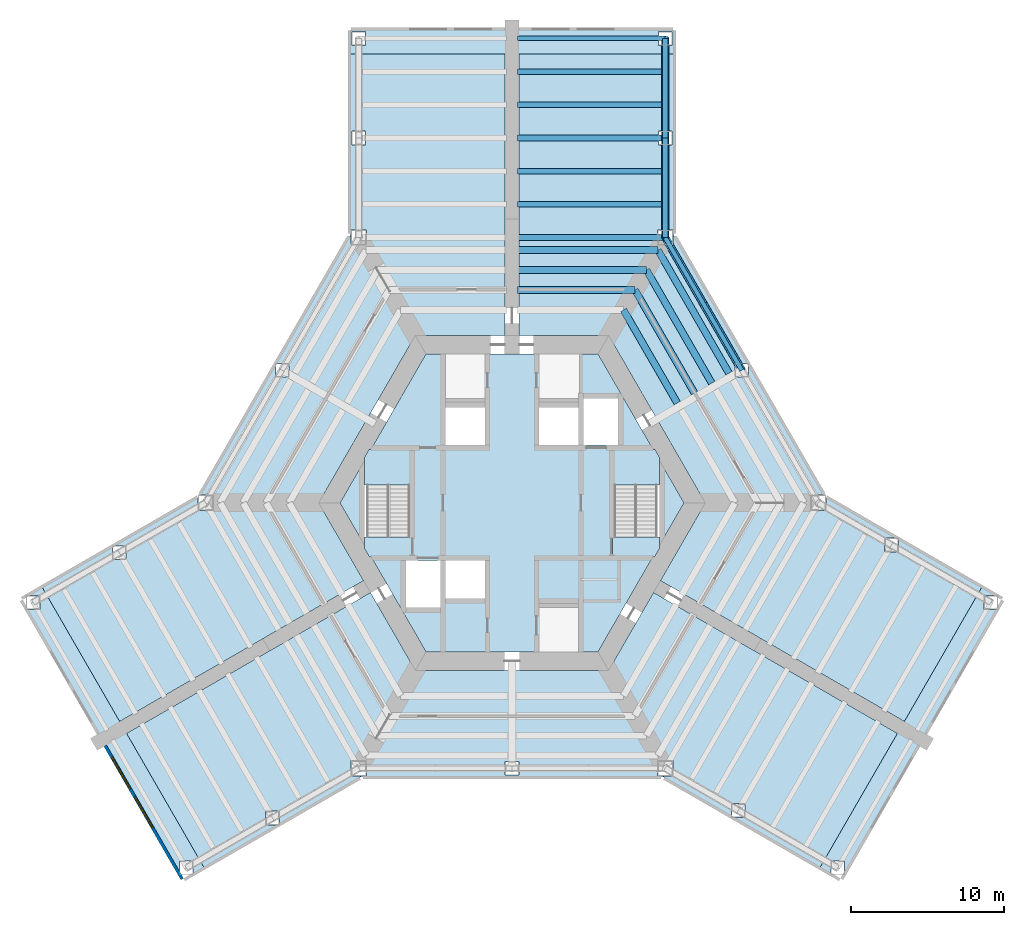
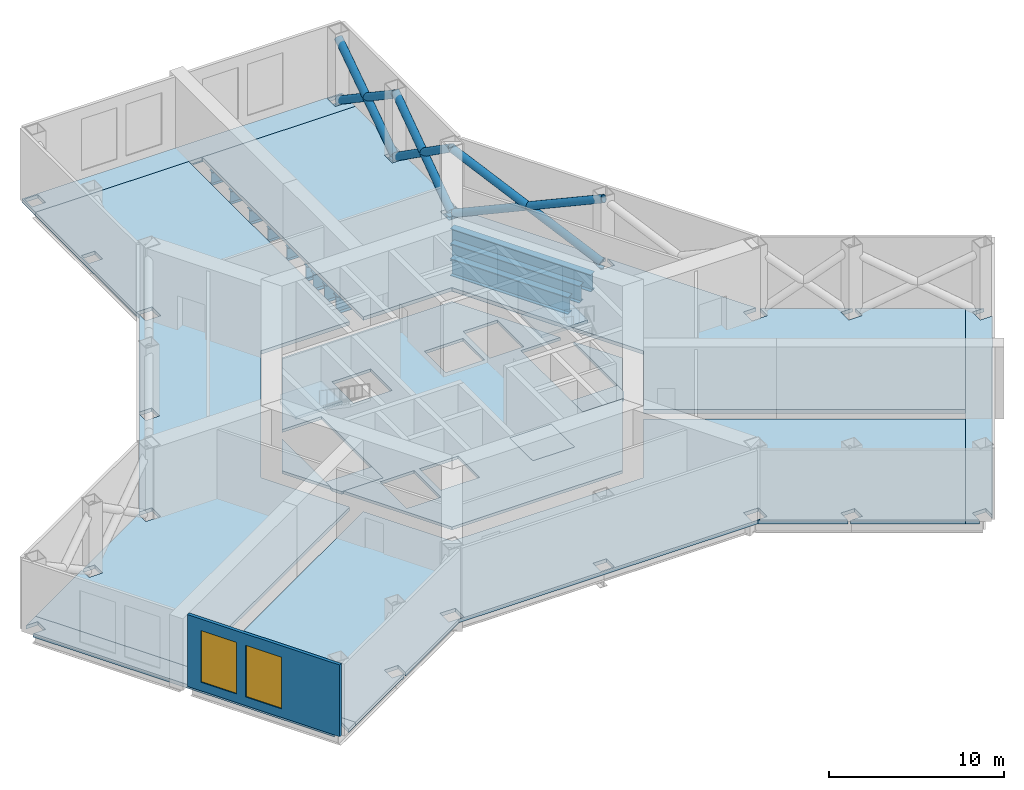
# One storey, part 3 of 8: 17 beams, 14 slabs, 6 members, 2 windows, 1 wall, 2 openings, 2 elements without a shape of their own.
"""IFC4 building model written with IfcOpenShell, lengths in metres."""

from ifc_helpers import new_model, si_unit, direction, frame, frame_2d, origin, origin_2d, place, context, subcontext, project, spatial, polyline, rectangle, hollow_circle, i_section, outline, extrude, material, layer, layer_set, material_profile, profile_set, type_object, element, fill, aggregate, save


model = new_model("IFC4")

# Units and contexts
model_context = context("Model", 3, precision=1e-05, world=origin(), true_north=direction((0.0, 1.0)))
body_context = subcontext(model_context, "Body", "Model", "MODEL_VIEW")
ifc_project = project(units=[si_unit("LENGTHUNIT", "METRE"), si_unit("AREAUNIT", "SQUARE_METRE"), si_unit("VOLUMEUNIT", "CUBIC_METRE"), si_unit("PLANEANGLEUNIT", "RADIAN"), si_unit("MASSUNIT", "GRAM", prefix="KILO")], contexts=[model_context])

# Site, building, storey
site_placement = place(None, origin())
site = spatial("IfcSite", under=ifc_project, at=site_placement, CompositionType="ELEMENT")
building_placement = place(site_placement, origin())
building = spatial("IfcBuilding", under=site, at=building_placement, Name="Kasaneha Research Tower", CompositionType="ELEMENT")
storey_placement = place(building_placement, frame((0.0, 0.0, 52.0)))
storey = spatial("IfcBuildingStorey", under=building, at=storey_placement, Name="L13", CompositionType="ELEMENT", Elevation=52.0)

# Beams
ifc_material_1 = material(Name="Steel SN490B", Category="steel")
ifc_material_profile_1 = material_profile(ifc_material_1, i_section(OverallWidth=0.449951171875, OverallDepth=1.199951171875, WebThickness=0.02197265625, FlangeThickness=0.0400390625, at=origin_2d()), Name="BH-1200x450x22x40")
ifc_profile_set_1 = profile_set([ifc_material_profile_1], Name="Steel SN490B")
beam_type_1 = type_object("IfcBeamType", Name="B1-5 secondary beam BH-1200x450x22x40", PredefinedType="JOIST", material=ifc_profile_set_1)
beam_1_placement = place(storey_placement, frame((7.274658203125, 12.60009765625, -0.85009765625), z_axis=(0.499989208252, -0.866031634313, 0.0), x_axis=(0.866031634313, 0.499989208252, 0.0)))
element("IfcBeam", 1, at=beam_1_placement, inside=storey, type_object=beam_type_1, Name="Secondary beam RS030R1 L13", PredefinedType="JOIST", context=body_context, shape_type="SweptSolid", body=[
    extrude(i_section(OverallWidth=0.449951171875, OverallDepth=1.199951171875, WebThickness=0.02197265625, FlangeThickness=0.0400390625, at=origin_2d()), origin(), (0.0, 0.0, 1.0), 7.024658203125),
])
beam_2_placement = place(storey_placement, frame((8.025146484375, 13.89990234375, -0.85009765625), z_axis=(0.500016004, -0.866016163673, 0.0), x_axis=(0.866016163673, 0.500016004, 0.0)))
element("IfcBeam", 2, at=beam_2_placement, inside=storey, type_object=beam_type_1, Name="Secondary beam RS030R2 L13", PredefinedType="JOIST", context=body_context, shape_type="SweptSolid", body=[
    extrude(i_section(OverallWidth=0.449951171875, OverallDepth=1.199951171875, WebThickness=0.02197265625, FlangeThickness=0.0400390625, at=origin_2d()), origin(), (0.0, 0.0, 1.0), 7.775146484375),
])
beam_3_placement = place(storey_placement, frame((8.775634765625, 15.199951171875, -0.85009765625), z_axis=(0.500004205306, -0.866022975836, 0.0), x_axis=(0.866022975836, 0.500004205306, 0.0)))
element("IfcBeam", 3, at=beam_3_placement, inside=storey, type_object=beam_type_1, Name="Secondary beam RS030R3 L13", PredefinedType="JOIST", context=body_context, shape_type="SweptSolid", body=[
    extrude(i_section(OverallWidth=0.449951171875, OverallDepth=1.199951171875, WebThickness=0.02197265625, FlangeThickness=0.0400390625, at=origin_2d()), origin(), (0.0, 0.0, 1.0), 8.52587890625),
])
beam_4_placement = place(storey_placement, frame((9.5263671875, 16.5, -0.85009765625), z_axis=(0.499985972961, -0.866033502147, 0.0), x_axis=(0.866033502147, 0.499985972961, 0.0)))
element("IfcBeam", 4, at=beam_4_placement, inside=storey, type_object=beam_type_1, Name="Secondary beam RS030R4 L13", PredefinedType="JOIST", context=body_context, shape_type="SweptSolid", body=[
    extrude(i_section(OverallWidth=0.449951171875, OverallDepth=1.199951171875, WebThickness=0.02197265625, FlangeThickness=0.0400390625, at=origin_2d()), origin(), (0.0, 0.0, 1.0), 9.276123046875),
])
beam_5_placement = place(storey_placement, frame((8.025146484375, 13.89990234375, -0.85009765625), z_axis=(-1.0, 0.0, 0.0), x_axis=(0.0, -1.0, 0.0)))
element("IfcBeam", 5, at=beam_5_placement, inside=storey, type_object=beam_type_1, Name="Secondary beam RS090L2 L13", PredefinedType="JOIST", context=body_context, shape_type="SweptSolid", body=[
    extrude(i_section(OverallWidth=0.449951171875, OverallDepth=1.199951171875, WebThickness=0.02197265625, FlangeThickness=0.0400390625, at=origin_2d()), origin(), (0.0, 0.0, 1.0), 7.675048828125),
])
beam_6_placement = place(storey_placement, frame((8.775634765625, 15.199951171875, -0.85009765625), z_axis=(-1.0, 0.0, 0.0), x_axis=(0.0, -1.0, 0.0)))
element("IfcBeam", 6, at=beam_6_placement, inside=storey, type_object=beam_type_1, Name="Secondary beam RS090L3 L13", PredefinedType="JOIST", context=body_context, shape_type="SweptSolid", body=[
    extrude(i_section(OverallWidth=0.449951171875, OverallDepth=1.199951171875, WebThickness=0.02197265625, FlangeThickness=0.0400390625, at=origin_2d()), origin(), (0.0, 0.0, 1.0), 8.425537109375),
])
beam_7_placement = place(storey_placement, frame((9.5263671875, 16.5, -0.85009765625), z_axis=(-1.0, 0.0, 0.0), x_axis=(0.0, -1.0, 0.0)))
element("IfcBeam", 7, at=beam_7_placement, inside=storey, type_object=beam_type_1, Name="Secondary beam RS090L4 L13", PredefinedType="JOIST", context=body_context, shape_type="SweptSolid", body=[
    extrude(i_section(OverallWidth=0.449951171875, OverallDepth=1.199951171875, WebThickness=0.02197265625, FlangeThickness=0.0400390625, at=origin_2d()), origin(), (0.0, 0.0, 1.0), 9.17626953125),
])
ifc_material_2 = material(Name="Steel SN490B", Category="steel")
ifc_material_profile_2 = material_profile(ifc_material_2, i_section(OverallWidth=0.35009765625, OverallDepth=0.89990234375, WebThickness=0.01611328125, FlangeThickness=0.031982421875, at=origin_2d()), Name="BH-900x350x16x32")
ifc_profile_set_2 = profile_set([ifc_material_profile_2], Name="Steel SN490B")
beam_type_2 = type_object("IfcBeamType", Name="B2-5 secondary beam BH-900x350x16x32", PredefinedType="JOIST", material=ifc_profile_set_2)
for number, where, z_axis, x_axis, name in (
    (8, (10.0, 19.487060546875, -0.699951171875), (-1.0, 0.0, 0.0), (0.0, -1.0, 0.0), "Secondary beam WBAP1 L13"),
    (9, (10.0, 21.65380859375, -0.699951171875), (-1.0, 0.0, 0.0), (0.0, -1.0, 0.0), "Secondary beam WBAP2 L13"),
    (10, (10.0, 25.987060546875, -0.699951171875), (-1.0, 0.0, 0.0), (0.0, -1.0, 0.0), "Secondary beam WBAP3 L13"),
    (11, (10.0, 28.15380859375, -0.699951171875), (-1.0, 0.0, 0.0), (0.0, -1.0, 0.0), "Secondary beam WBAP4 L13"),
):
    element("IfcBeam", number, at=place(storey_placement, frame(where, z_axis=z_axis, x_axis=x_axis)), inside=storey, type_object=beam_type_2, Name=name, PredefinedType="JOIST", context=body_context, shape_type="SweptSolid", body=[
        extrude(i_section(OverallWidth=0.35009765625, OverallDepth=0.89990234375, WebThickness=0.01611328125, FlangeThickness=0.031982421875, at=origin_2d()), origin(), (0.0, 0.0, 1.0), 9.64990234375),
    ])
ifc_material_3 = material(Name="Steel SN490B", Category="steel")
ifc_material_profile_3 = material_profile(ifc_material_3, i_section(OverallWidth=0.35009765625, OverallDepth=0.89990234375, WebThickness=0.01611328125, FlangeThickness=0.031982421875, at=origin_2d()), Name="BH-900x350x16x32")
ifc_profile_set_3 = profile_set([ifc_material_profile_3], Name="Steel SN490B")
beam_type_3 = type_object("IfcBeamType", Name="BC1-5 belt chord BH-900x350x16x32", PredefinedType="BEAM", material=ifc_profile_set_3)
beam_8_placement = place(storey_placement, frame((10.0, 17.320556640625, -0.699951171875), z_axis=(0.0, 1.0, 0.0), x_axis=(-1.0, 0.0, 0.0)))
element("IfcBeam", 12, at=beam_8_placement, inside=storey, type_object=beam_type_3, Name="Belt chord WSAP1 L13", PredefinedType="BEAM", context=body_context, shape_type="SweptSolid", body=[
    extrude(i_section(OverallWidth=0.35009765625, OverallDepth=0.89990234375, WebThickness=0.01611328125, FlangeThickness=0.031982421875, at=origin_2d()), origin(), (0.0, 0.0, 1.0), 6.5),
])

# Members
ifc_material_4 = material(Name="Steel STKN490B", Category="steel")
ifc_material_profile_4 = material_profile(ifc_material_4, hollow_circle(Radius=0.25390625, WallThickness=0.02197265625, at=origin_2d()), Name="CHS-508.0x22.0")
ifc_profile_set_4 = profile_set([ifc_material_profile_4], Name="Steel STKN490B")
member_type = type_object("IfcMemberType", Name="BT1 belt truss diagonal CHS-508.0x22.0", PredefinedType="BRACE", material=ifc_profile_set_4)
for number, where, z_axis, x_axis, name in (
    (13, (10.0, 30.20166015625, 0.091552734375), (0.0, -0.829987809432, 0.557781530883), (1.0, 0.0, 0.0), "Belt truss diagonal 7a L13"),
    (14, (10.0, 23.939453125, 0.091552734375), (0.0, 0.829987809432, 0.557781530883), (-1.0, 0.0, 0.0), "Belt truss diagonal 7b L13"),
):
    element("IfcMember", number, at=place(storey_placement, frame(where, z_axis=z_axis, x_axis=x_axis)), inside=storey, type_object=member_type, Name=name, PredefinedType="BRACE", context=body_context, shape_type="SweptSolid", body=[
        extrude(hollow_circle(Radius=0.25390625, WallThickness=0.02197265625, at=origin_2d()), origin(), (0.0, 0.0, 1.0), 7.688232421875),
    ])
for number, where, z_axis, x_axis, name in (
    (15, (10.0, 23.70166015625, 0.091552734375), (0.0, -0.817919864106, 0.575332161365), (1.0, 0.0, 0.0), "Belt truss diagonal 8a L13"),
    (16, (10.0, 17.439453125, 0.091552734375), (0.0, 0.817919864106, 0.575332161365), (-1.0, 0.0, 0.0), "Belt truss diagonal 8b L13"),
):
    element("IfcMember", number, at=place(storey_placement, frame(where, z_axis=z_axis, x_axis=x_axis)), inside=storey, type_object=member_type, Name=name, PredefinedType="BRACE", context=body_context, shape_type="SweptSolid", body=[
        extrude(hollow_circle(Radius=0.25390625, WallThickness=0.02197265625, at=origin_2d()), origin(), (0.0, 0.0, 1.0), 7.801513671875),
    ])
for number, where, z_axis, x_axis, name in (
    (17, (10.067138671875, 17.204345703125, 0.067138671875), (0.455515713418, -0.788996952362, 0.412297518781), (0.866031054652, 0.499990212282, 0.0), "Belt truss diagonal 9a L13"),
    (18, (14.932861328125, 8.7763671875, 0.067138671875), (-0.455515713418, 0.788996952362, 0.412297518781), (-0.866031054652, -0.499990212282, 0.0), "Belt truss diagonal 9b L13"),
):
    element("IfcMember", number, at=place(storey_placement, frame(where, z_axis=z_axis, x_axis=x_axis)), inside=storey, type_object=member_type, Name=name, PredefinedType="BRACE", context=body_context, shape_type="SweptSolid", body=[
        extrude(hollow_circle(Radius=0.25390625, WallThickness=0.02197265625, at=origin_2d()), origin(), (0.0, 0.0, 1.0), 10.8291015625),
    ])

# Beams
ifc_material_5 = material(Name="Steel SN490B", Category="steel")
ifc_material_profile_5 = material_profile(ifc_material_5, i_section(OverallWidth=0.39990234375, OverallDepth=1.0, WebThickness=0.01904296875, FlangeThickness=0.035888671875, at=origin_2d()), Name="BH-1000x400x19x36")
ifc_profile_set_5 = profile_set([ifc_material_profile_5], Name="Steel SN490B")
beam_type_4 = type_object("IfcBeamType", Name="G3-5 plate edge girder BH-1000x400x19x36", PredefinedType="BEAM", material=ifc_profile_set_5)
beam_9_placement = place(storey_placement, frame((10.0, 17.320556640625, -0.75), z_axis=(-1.0, 0.0, 0.0), x_axis=(0.0, -1.0, 0.0)))
element("IfcBeam", 19, at=beam_9_placement, inside=storey, type_object=beam_type_4, Name="Plate edge girder PEAP L13", PredefinedType="BEAM", context=body_context, shape_type="SweptSolid", body=[
    extrude(i_section(OverallWidth=0.39990234375, OverallDepth=1.0, WebThickness=0.01904296875, FlangeThickness=0.035888671875, at=origin_2d()), origin(), (0.0, 0.0, 1.0), 9.64990234375),
])
ifc_material_6 = material(Name="Steel SN490B", Category="steel")
ifc_material_profile_6 = material_profile(ifc_material_6, i_section(OverallWidth=0.39990234375, OverallDepth=1.0, WebThickness=0.01904296875, FlangeThickness=0.035888671875, at=origin_2d()), Name="BH-1000x400x19x36")
ifc_profile_set_6 = profile_set([ifc_material_profile_6], Name="Steel SN490B")
beam_type_5 = type_object("IfcBeamType", Name="G4-5 wing girder BH-1000x400x19x36", PredefinedType="BEAM", material=ifc_profile_set_6)
beam_10_placement = place(storey_placement, frame((10.0, 23.820556640625, -0.75), z_axis=(-1.0, 0.0, 0.0), x_axis=(0.0, -1.0, 0.0)))
element("IfcBeam", 20, at=beam_10_placement, inside=storey, type_object=beam_type_5, Name="Wing girder WGAP L13", PredefinedType="BEAM", context=body_context, shape_type="SweptSolid", body=[
    extrude(i_section(OverallWidth=0.39990234375, OverallDepth=1.0, WebThickness=0.01904296875, FlangeThickness=0.035888671875, at=origin_2d()), origin(), (0.0, 0.0, 1.0), 9.64990234375),
])
ifc_material_7 = material(Name="Steel SN490B", Category="steel")
ifc_material_profile_7 = material_profile(ifc_material_7, i_section(OverallWidth=0.300048828125, OverallDepth=0.800048828125, WebThickness=0.013916015625, FlangeThickness=0.02587890625, FilletRadius=0.01806640625, at=origin_2d()), Name="H-800x300x14x26")
ifc_profile_set_7 = profile_set([ifc_material_profile_7], Name="Steel SN490B")
beam_type_6 = type_object("IfcBeamType", Name="SB1-5 spandrel beam H-800x300x14x26", PredefinedType="SPANDREL", material=ifc_profile_set_7)
beam_11_placement = place(storey_placement, frame((10.0, 17.320556640625, -0.64990234375), z_axis=(0.499993662806, -0.866029062534, 0.0), x_axis=(0.866029062534, 0.499993662806, 0.0)))
element("IfcBeam", 21, at=beam_11_placement, inside=storey, type_object=beam_type_6, Name="Spandrel beam SR030R L13", PredefinedType="SPANDREL", context=body_context, shape_type="SweptSolid", body=[
    extrude(i_section(OverallWidth=0.300048828125, OverallDepth=0.800048828125, WebThickness=0.013916015625, FlangeThickness=0.02587890625, FilletRadius=0.01806640625, at=origin_2d()), origin(), (0.0, 0.0, 1.0), 10.000244140625),
])
ifc_material_8 = material(Name="Steel SN490B", Category="steel")
ifc_material_profile_8 = material_profile(ifc_material_8, i_section(OverallWidth=0.35009765625, OverallDepth=0.89990234375, WebThickness=0.01611328125, FlangeThickness=0.031982421875, at=origin_2d()), Name="BH-900x350x16x32")
ifc_profile_set_8 = profile_set([ifc_material_profile_8], Name="Steel SN490B")
beam_type_7 = type_object("IfcBeamType", Name="SB2-5 spandrel beam BH-900x350x16x32", PredefinedType="SPANDREL", material=ifc_profile_set_8)
beam_12_placement = place(storey_placement, frame((10.0, 23.820556640625, -0.699951171875), z_axis=(0.0, 1.0, 0.0), x_axis=(-1.0, 0.0, 0.0)))
element("IfcBeam", 22, at=beam_12_placement, inside=storey, type_object=beam_type_7, Name="Spandrel beam WSAP2 L13", PredefinedType="SPANDREL", context=body_context, shape_type="SweptSolid", body=[
    extrude(i_section(OverallWidth=0.35009765625, OverallDepth=0.89990234375, WebThickness=0.01611328125, FlangeThickness=0.031982421875, at=origin_2d()), origin(), (0.0, 0.0, 1.0), 6.5),
])
ifc_material_9 = material(Name="Steel SN490B", Category="steel")
ifc_material_profile_9 = material_profile(ifc_material_9, i_section(OverallWidth=0.300048828125, OverallDepth=0.7919921875, WebThickness=0.013916015625, FlangeThickness=0.02197265625, FilletRadius=0.01806640625, at=origin_2d()), Name="H-792x300x14x22")
ifc_profile_set_9 = profile_set([ifc_material_profile_9], Name="Steel SN490B")
beam_type_8 = type_object("IfcBeamType", Name="SB3-5 spandrel beam H-792x300x14x22", PredefinedType="SPANDREL", material=ifc_profile_set_9)
beam_13_placement = place(storey_placement, frame((10.0, 30.320556640625, -0.64599609375), z_axis=(-1.0, 0.0, 0.0), x_axis=(0.0, -1.0, 0.0)))
element("IfcBeam", 23, at=beam_13_placement, inside=storey, type_object=beam_type_8, Name="Spandrel beam WTAP L13", PredefinedType="SPANDREL", context=body_context, shape_type="SweptSolid", body=[
    extrude(i_section(OverallWidth=0.300048828125, OverallDepth=0.7919921875, WebThickness=0.013916015625, FlangeThickness=0.02197265625, FilletRadius=0.01806640625, at=origin_2d()), origin(), (0.0, 0.0, 1.0), 9.64990234375),
])

# Slabs
ifc_material_10 = material(Name="Concrete Fc24", Category="concrete")
ifc_layer_1 = layer(ifc_material_10, 0.199951171875)
ifc_layer_set_1 = layer_set([ifc_layer_1], Name="Core floor slab 200")
slab_type_1 = type_object("IfcSlabType", Name="Core floor slab 200", PredefinedType="FLOOR", material=ifc_layer_set_1)
slab_1_placement = place(storey_placement, frame((0.0, 0.0, -0.199951171875)))
element("IfcSlab", 24, at=slab_1_placement, inside=storey, type_object=slab_type_1, Name="Core slab L13", PredefinedType="FLOOR", context=body_context, shape_type="SweptSolid", body=[
    extrude(outline(polyline([(-11.2294921875, 0.0), (-9.625, 2.779052734375), (-9.625, -2.779052734375), (-11.2294921875, 0.0)])), origin(), (0.0, 0.0, 1.0), 0.199951171875),
])
slab_2_placement = place(storey_placement, frame((0.0, 0.0, -0.199951171875)))
element("IfcSlab", 25, at=slab_2_placement, inside=storey, type_object=slab_type_1, Name="Core slab L13", PredefinedType="FLOOR", context=body_context, shape_type="SweptSolid", body=[
    extrude(outline(polyline([(-5.61474609375, 9.72509765625), (5.61474609375, 9.72509765625), (9.1943359375, 3.52490234375), (6.574951171875, 3.52490234375), (6.574951171875, -3.52490234375), (9.1943359375, -3.52490234375), (5.61474609375, -9.72509765625), (-5.61474609375, -9.72509765625), (-9.1943359375, -3.52490234375), (-6.574951171875, -3.52490234375), (-6.574951171875, 3.52490234375), (-9.1943359375, 3.52490234375), (-5.61474609375, 9.72509765625)]), holes=[polyline([(-6.925048828125, -3.77490234375), (-6.925048828125, -6.824951171875), (-4.675048828125, -6.824951171875), (-4.675048828125, -3.77490234375), (-6.925048828125, -3.77490234375)]), polyline([(-4.324951171875, -3.77490234375), (-4.324951171875, -6.22509765625), (-1.77490234375, -6.22509765625), (-1.77490234375, -3.77490234375), (-4.324951171875, -3.77490234375)]), polyline([(1.675048828125, -3.675048828125), (1.675048828125, -6.324951171875), (4.425048828125, -6.324951171875), (4.425048828125, -3.675048828125), (1.675048828125, -3.675048828125)]), polyline([(-4.324951171875, 6.22509765625), (-4.324951171875, 3.77490234375), (-1.77490234375, 3.77490234375), (-1.77490234375, 6.22509765625), (-4.324951171875, 6.22509765625)]), polyline([(1.77490234375, 6.22509765625), (1.77490234375, 3.77490234375), (4.324951171875, 3.77490234375), (4.324951171875, 6.22509765625), (1.77490234375, 6.22509765625)]), polyline([(4.675048828125, 6.824951171875), (4.675048828125, 3.77490234375), (6.925048828125, 3.77490234375), (6.925048828125, 6.824951171875), (4.675048828125, 6.824951171875)])]), origin(), (0.0, 0.0, 1.0), 0.199951171875),
])
slab_3_placement = place(storey_placement, frame((0.0, 0.0, -0.199951171875)))
element("IfcSlab", 26, at=slab_3_placement, inside=storey, type_object=slab_type_1, Name="Core slab L13", PredefinedType="FLOOR", context=body_context, shape_type="SweptSolid", body=[
    extrude(outline(polyline([(11.2294921875, 0.0), (9.625, -2.779052734375), (9.625, 2.779052734375), (11.2294921875, 0.0)])), origin(), (0.0, 0.0, 1.0), 0.199951171875),
])
ifc_material_11 = material(Name="Concrete Fc24", Category="concrete")
ifc_layer_2 = layer(ifc_material_11, 0.25)
ifc_layer_set_2 = layer_set([ifc_layer_2], Name="Floor slab 250")
slab_type_2 = type_object("IfcSlabType", Name="Floor slab 250", PredefinedType="FLOOR", material=ifc_layer_set_2)
slab_4_placement = place(storey_placement, frame((0.0, 0.0, -0.25)))
element("IfcSlab", 27, at=slab_4_placement, inside=storey, type_object=slab_type_2, Name="Floor slab L13 1", PredefinedType="FLOOR", context=body_context, shape_type="SweptSolid", body=[
    extrude(outline(polyline([(-25.167236328125, -15.050048828125), (-25.15869140625, -15.044921875), (-20.108642578125, -23.791748046875), (-20.808349609375, -24.19580078125), (-20.808349609375, -23.37060546875), (-21.708251953125, -23.37060546875), (-21.708251953125, -24.14111328125), (-31.633544921875, -6.949951171875), (-30.808349609375, -6.949951171875), (-30.808349609375, -6.050048828125), (-31.578857421875, -6.050048828125), (-30.65869140625, -5.518798828125), (-25.608642578125, -14.265625), (-25.6171875, -14.2705078125), (-25.167236328125, -15.050048828125)])), origin(), (0.0, 0.0, 1.0), 0.25),
])
slab_5_placement = place(storey_placement, frame((0.0, 0.0, -0.25)))
element("IfcSlab", 28, at=slab_5_placement, inside=storey, type_object=slab_type_2, Name="Floor slab L13 2", PredefinedType="FLOOR", context=body_context, shape_type="SweptSolid", body=[
    extrude(outline(polyline([(-25.17919921875, -2.800048828125), (-25.94970703125, -2.800048828125), (-20.5, 0.346435546875), (-20.5, -0.5), (-19.5, -0.5), (-19.5, 0.5), (-20.346435546875, 0.5), (-15.449951171875, 8.980712890625), (-15.449951171875, 8.210205078125), (-14.550048828125, 8.210205078125), (-14.550048828125, 9.1103515625), (-15.375244140625, 9.1103515625), (-10.550048828125, 17.4677734375), (-10.550048828125, 29.310546875), (-0.449951171875, 29.310546875), (-0.449951171875, 10.925048828125), (-6.3076171875, 10.925048828125), (-12.614990234375, 0.0), (-9.686279296875, -5.07275390625), (-25.608642578125, -14.265625), (-30.65869140625, -5.518798828125), (-26.0791015625, -2.874755859375), (-26.0791015625, -3.699951171875), (-25.17919921875, -3.699951171875), (-25.17919921875, -2.800048828125)]), holes=[polyline([(-9.5, 16.820556640625), (-9.5, 17.820556640625), (-10.5, 17.820556640625), (-10.5, 16.820556640625), (-9.5, 16.820556640625)]), polyline([(-10.449951171875, 23.37060546875), (-9.550048828125, 23.37060546875), (-9.550048828125, 24.2705078125), (-10.449951171875, 24.2705078125), (-10.449951171875, 23.37060546875)])]), origin(), (0.0, 0.0, 1.0), 0.25),
])
slab_6_placement = place(storey_placement, frame((0.0, 0.0, -0.25)))
element("IfcSlab", 29, at=slab_6_placement, inside=storey, type_object=slab_type_2, Name="Floor slab L13 3", PredefinedType="FLOOR", context=body_context, shape_type="SweptSolid", body=[
    extrude(outline(polyline([(10.550048828125, 29.310546875), (0.449951171875, 29.310546875), (0.449951171875, 29.320556640625), (-0.449951171875, 29.320556640625), (-0.449951171875, 29.310546875), (-10.550048828125, 29.310546875), (-10.550048828125, 30.87060546875), (10.550048828125, 30.87060546875), (10.550048828125, 29.310546875)]), holes=[polyline([(-9.550048828125, 29.87060546875), (-9.550048828125, 30.7705078125), (-10.449951171875, 30.7705078125), (-10.449951171875, 29.87060546875), (-9.550048828125, 29.87060546875)]), polyline([(9.550048828125, 29.87060546875), (10.449951171875, 29.87060546875), (10.449951171875, 30.7705078125), (9.550048828125, 30.7705078125), (9.550048828125, 29.87060546875)])]), origin(), (0.0, 0.0, 1.0), 0.25),
])
slab_7_placement = place(storey_placement, frame((0.0, 0.0, -0.25)))
element("IfcSlab", 30, at=slab_7_placement, inside=storey, type_object=slab_type_2, Name="Floor slab L13 4", PredefinedType="FLOOR", context=body_context, shape_type="SweptSolid", body=[
    extrude(outline(polyline([(-6.3076171875, -10.925048828125), (6.3076171875, -10.925048828125), (9.236328125, -5.852294921875), (25.15869140625, -15.044921875), (20.108642578125, -23.791748046875), (14.442626953125, -20.5205078125), (15.213134765625, -20.5205078125), (15.213134765625, -19.62060546875), (14.313232421875, -19.62060546875), (14.313232421875, -20.44580078125), (9.8525390625, -17.87060546875), (-9.8525390625, -17.87060546875), (-15.17919921875, -20.94580078125), (-15.17919921875, -20.12060546875), (-16.0791015625, -20.12060546875), (-16.0791015625, -21.0205078125), (-15.30859375, -21.0205078125), (-20.108642578125, -23.791748046875), (-25.15869140625, -15.044921875), (-9.236328125, -5.852294921875), (-6.3076171875, -10.925048828125)]), holes=[polyline([(-0.449951171875, -17.7705078125), (0.449951171875, -17.7705078125), (0.449951171875, -16.87060546875), (-0.449951171875, -16.87060546875), (-0.449951171875, -17.7705078125)]), polyline([(-9.5, -17.820556640625), (-9.5, -16.820556640625), (-10.5, -16.820556640625), (-10.5, -17.820556640625), (-9.5, -17.820556640625)]), polyline([(10.5, -17.820556640625), (10.5, -16.820556640625), (9.5, -16.820556640625), (9.5, -17.820556640625), (10.5, -17.820556640625)])]), origin(), (0.0, 0.0, 1.0), 0.25),
])
slab_8_placement = place(storey_placement, frame((0.0, 0.0, -0.25)))
element("IfcSlab", 31, at=slab_8_placement, inside=storey, type_object=slab_type_2, Name="Floor slab L13 5", PredefinedType="FLOOR", context=body_context, shape_type="SweptSolid", body=[
    extrude(outline(polyline([(9.686279296875, -5.07275390625), (12.614990234375, 0.0), (6.3076171875, 10.925048828125), (0.449951171875, 10.925048828125), (0.449951171875, 29.310546875), (10.550048828125, 29.310546875), (10.550048828125, 17.4677734375), (15.375244140625, 9.1103515625), (14.550048828125, 9.1103515625), (14.550048828125, 8.210205078125), (15.449951171875, 8.210205078125), (15.449951171875, 8.980712890625), (20.346435546875, 0.5), (19.5, 0.5), (19.5, -0.5), (20.5, -0.5), (20.5, 0.346435546875), (25.083740234375, -2.300048828125), (24.313232421875, -2.300048828125), (24.313232421875, -3.199951171875), (25.213134765625, -3.199951171875), (25.213134765625, -2.374755859375), (30.65869140625, -5.518798828125), (25.608642578125, -14.265625), (9.686279296875, -5.07275390625)]), holes=[polyline([(9.5, 16.820556640625), (10.5, 16.820556640625), (10.5, 17.820556640625), (9.5, 17.820556640625), (9.5, 16.820556640625)]), polyline([(9.550048828125, 23.37060546875), (10.449951171875, 23.37060546875), (10.449951171875, 24.2705078125), (9.550048828125, 24.2705078125), (9.550048828125, 23.37060546875)])]), origin(), (0.0, 0.0, 1.0), 0.25),
])
slab_9_placement = place(storey_placement, frame((0.0, 0.0, -0.25)))
element("IfcSlab", 32, at=slab_9_placement, inside=storey, type_object=slab_type_2, Name="Floor slab L13 6", PredefinedType="FLOOR", context=body_context, shape_type="SweptSolid", body=[
    extrude(outline(polyline([(25.167236328125, -15.050048828125), (25.6171875, -14.2705078125), (25.608642578125, -14.265625), (30.65869140625, -5.518798828125), (31.578857421875, -6.050048828125), (30.808349609375, -6.050048828125), (30.808349609375, -6.949951171875), (31.633544921875, -6.949951171875), (21.708251953125, -24.14111328125), (21.708251953125, -23.37060546875), (20.808349609375, -23.37060546875), (20.808349609375, -24.19580078125), (20.108642578125, -23.791748046875), (25.15869140625, -15.044921875), (25.167236328125, -15.050048828125)])), origin(), (0.0, 0.0, 1.0), 0.25),
])
ifc_material_12 = material(Name="Concrete Fc24", Category="concrete")
ifc_layer_3 = layer(ifc_material_12, 0.300048828125)
ifc_layer_set_3 = layer_set([ifc_layer_3], Name="Lift pit slab 300")
slab_type_3 = type_object("IfcSlabType", Name="Lift pit slab 300", PredefinedType="USERDEFINED", material=ifc_layer_set_3)
slab_10_placement = place(storey_placement, frame((0.0, 0.0, -0.300048828125)))
element("IfcSlab", 33, at=slab_10_placement, inside=storey, type_object=slab_type_3, Name="Lift pit slab LO3", ObjectType="LIFT PIT SLAB", PredefinedType="USERDEFINED", context=body_context, shape_type="SweptSolid", body=[
    extrude(outline(polyline([(4.425048828125, -6.324951171875), (1.675048828125, -6.324951171875), (1.675048828125, -3.675048828125), (4.425048828125, -3.675048828125), (4.425048828125, -6.324951171875)])), origin(), (0.0, 0.0, 1.0), 0.300048828125),
])

# Stair, slabs
ifc_material_13 = material(Name="Concrete Fc24", Category="concrete")
stair_type = type_object("IfcStairType", Name="Half-turn stair 28 risers", PredefinedType="HALF_TURN_STAIR", material=ifc_material_13)
stair_1_placement = place(storey_placement, origin())
stair_1 = element("IfcStair", 34, at=stair_1_placement, inside=storey, type_object=stair_type, Name="Stair 1 L13", PredefinedType="HALF_TURN_STAIR")
ifc_material_14 = material(Name="Concrete Fc24", Category="concrete")
ifc_layer_4 = layer(ifc_material_14, 0.199951171875)
ifc_layer_set_4 = layer_set([ifc_layer_4], Name="Stair 1 landing 200")
slab_type_4 = type_object("IfcSlabType", Name="Stair 1 landing 200", PredefinedType="LANDING", material=ifc_layer_set_4)
slab_11_placement = place(storey_placement, frame((0.0, 0.0, -0.199951171875)))
slab_11 = element("IfcSlab", 35, at=slab_11_placement, type_object=slab_type_4, Name="ST1-28R landing 1", PredefinedType="LANDING", context=body_context, shape_type="SweptSolid", body=[
    extrude(outline(polyline([(9.309814453125, -3.52490234375), (6.574951171875, -3.52490234375), (6.574951171875, -2.22509765625), (9.625, -2.22509765625), (9.625, -2.97900390625), (9.309814453125, -3.52490234375)])), origin(), (0.0, 0.0, 1.0), 0.199951171875),
])
slab_12_placement = place(storey_placement, frame((0.0, 0.0, 2.300048828125)))
slab_12 = element("IfcSlab", 36, at=slab_12_placement, type_object=slab_type_4, Name="ST1-28R landing 2", PredefinedType="LANDING", context=body_context, shape_type="SweptSolid", body=[
    extrude(outline(polyline([(6.574951171875, 3.52490234375), (9.309814453125, 3.52490234375), (9.625, 2.97900390625), (9.625, 1.155029296875), (6.574951171875, 1.155029296875), (6.574951171875, 3.52490234375)])), origin(), (0.0, 0.0, 1.0), 0.199951171875),
])
aggregate(stair_1, [slab_11, slab_12])

stair_2_placement = place(storey_placement, origin())
stair_2 = element("IfcStair", 37, at=stair_2_placement, inside=storey, type_object=stair_type, Name="Stair 2 L13", PredefinedType="HALF_TURN_STAIR")
ifc_material_15 = material(Name="Concrete Fc24", Category="concrete")
ifc_layer_5 = layer(ifc_material_15, 0.199951171875)
ifc_layer_set_5 = layer_set([ifc_layer_5], Name="Stair 2 landing 200")
slab_type_5 = type_object("IfcSlabType", Name="Stair 2 landing 200", PredefinedType="LANDING", material=ifc_layer_set_5)
slab_13_placement = place(storey_placement, frame((0.0, 0.0, -0.199951171875)))
slab_13 = element("IfcSlab", 38, at=slab_13_placement, type_object=slab_type_5, Name="ST2-28R landing 1", PredefinedType="LANDING", context=body_context, shape_type="SweptSolid", body=[
    extrude(outline(polyline([(-6.574951171875, -3.52490234375), (-9.309814453125, -3.52490234375), (-9.625, -2.97900390625), (-9.625, -2.22509765625), (-6.574951171875, -2.22509765625), (-6.574951171875, -3.52490234375)])), origin(), (0.0, 0.0, 1.0), 0.199951171875),
])
slab_14_placement = place(storey_placement, frame((0.0, 0.0, 2.300048828125)))
slab_14 = element("IfcSlab", 39, at=slab_14_placement, type_object=slab_type_5, Name="ST2-28R landing 2", PredefinedType="LANDING", context=body_context, shape_type="SweptSolid", body=[
    extrude(outline(polyline([(-6.574951171875, 1.155029296875), (-9.625, 1.155029296875), (-9.625, 2.97900390625), (-9.309814453125, 3.52490234375), (-6.574951171875, 3.52490234375), (-6.574951171875, 1.155029296875)])), origin(), (0.0, 0.0, 1.0), 0.199951171875),
])
aggregate(stair_2, [slab_13, slab_14])

# Wall, openings, windows
ifc_material_16 = material(Name="Terracotta cladding on steel frame", Category="masonry")
ifc_layer_6 = layer(ifc_material_16, 0.199951171875)
ifc_layer_set_6 = layer_set([ifc_layer_6], Name="Louvred plant wall 200")
wall_type = type_object("IfcWallType", Name="Louvred plant wall 200", PredefinedType="ELEMENTEDWALL", material=ifc_layer_set_6)
wall_placement = place(storey_placement, frame((-26.552978515625, -15.849853515625, 0.0), z_axis=(0.0, 0.0, 1.0), x_axis=(0.500008433718, -0.866020534521, 0.0)))
wall = element("IfcWall", 40, at=wall_placement, inside=storey, type_object=wall_type, Name="Louvred plant wall L13", PredefinedType="ELEMENTEDWALL", context=body_context, shape_type="SweptSolid", body=[
    extrude(rectangle(XDim=10.050048828125, YDim=0.199951171875, at=frame_2d((5.02490234375, 0.0))), origin(), (0.0, 0.0, 1.0), 5.0),
])
opening_1_placement = place(wall_placement, frame((0.89990234375, 0.0, 0.60009765625)))
opening_1 = element("IfcOpeningElement", 41, at=opening_1_placement, cuts=wall, Name="Opening LV1", PredefinedType="OPENING", context=body_context, shape_type="SweptSolid", body=[
    extrude(rectangle(XDim=2.35009765625, YDim=3.60009765625, at=frame_2d((1.175048828125, 1.800048828125))), frame((0.0, 0.10986328125, 0.0), z_axis=(0.0, -1.0, 0.0), x_axis=(1.0, 0.0, 0.0)), (0.0, 0.0, 1.0), 0.219970703125),
])
opening_2_placement = place(wall_placement, frame((3.85009765625, 0.0, 0.60009765625)))
opening_2 = element("IfcOpeningElement", 42, at=opening_2_placement, cuts=wall, Name="Opening LV1", PredefinedType="OPENING", context=body_context, shape_type="SweptSolid", body=[
    extrude(rectangle(XDim=2.35009765625, YDim=3.60009765625, at=frame_2d((1.175048828125, 1.800048828125))), frame((0.0, 0.10986328125, 0.0), z_axis=(0.0, -1.0, 0.0), x_axis=(1.0, 0.0, 0.0)), (0.0, 0.0, 1.0), 0.219970703125),
])
ifc_material_17 = material(Name="Aluminium 6063-T6", Category="aluminium")
window_type = type_object("IfcWindowType", Name="Louvre 2350x3600", PartitioningType="SINGLE_PANEL", PredefinedType="USERDEFINED", material=ifc_material_17)
window_1_placement = place(opening_1_placement, origin())
window_1 = element("IfcWindow", 43, at=window_1_placement, inside=storey, type_object=window_type, Name="Plant louvre L13 1", ObjectType="LOUVRE", OverallHeight=3.60009765625, OverallWidth=2.35009765625, PartitioningType="SINGLE_PANEL", PredefinedType="USERDEFINED", context=body_context, shape_type="SweptSolid", body=[
    extrude(rectangle(XDim=2.35009765625, YDim=3.60009765625, at=frame_2d((1.175048828125, 1.800048828125))), frame((0.0, 0.030029296875, 0.0), z_axis=(0.0, -1.0, 0.0), x_axis=(1.0, 0.0, 0.0)), (0.0, 0.0, 1.0), 0.06005859375),
])
fill(opening_1, window_1)
window_2_placement = place(opening_2_placement, origin())
window_2 = element("IfcWindow", 44, at=window_2_placement, inside=storey, type_object=window_type, Name="Plant louvre L13 2", ObjectType="LOUVRE", OverallHeight=3.60009765625, OverallWidth=2.35009765625, PartitioningType="SINGLE_PANEL", PredefinedType="USERDEFINED", context=body_context, shape_type="SweptSolid", body=[
    extrude(rectangle(XDim=2.35009765625, YDim=3.60009765625, at=frame_2d((1.175048828125, 1.800048828125))), frame((0.0, 0.030029296875, 0.0), z_axis=(0.0, -1.0, 0.0), x_axis=(1.0, 0.0, 0.0)), (0.0, 0.0, 1.0), 0.06005859375),
])
fill(opening_2, window_2)

save(model, "model.ifc")
